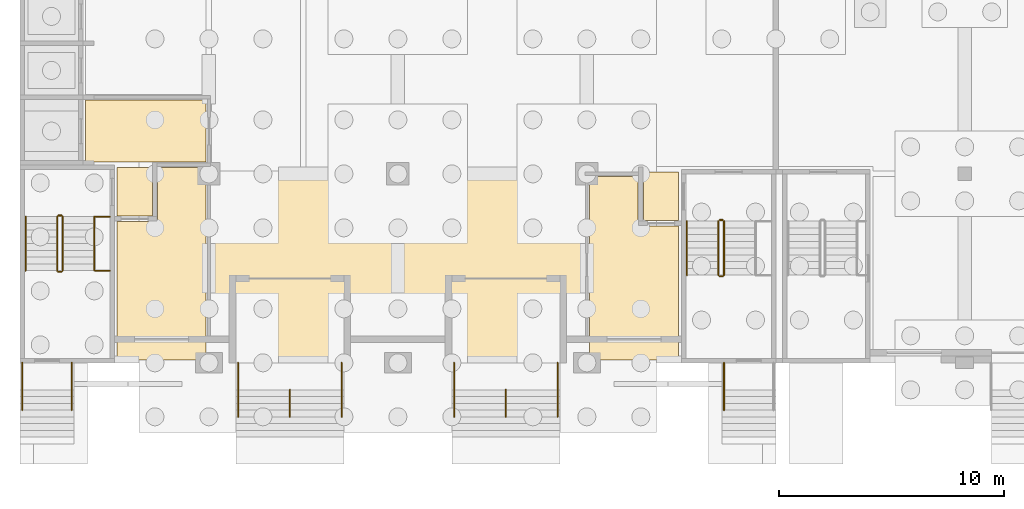
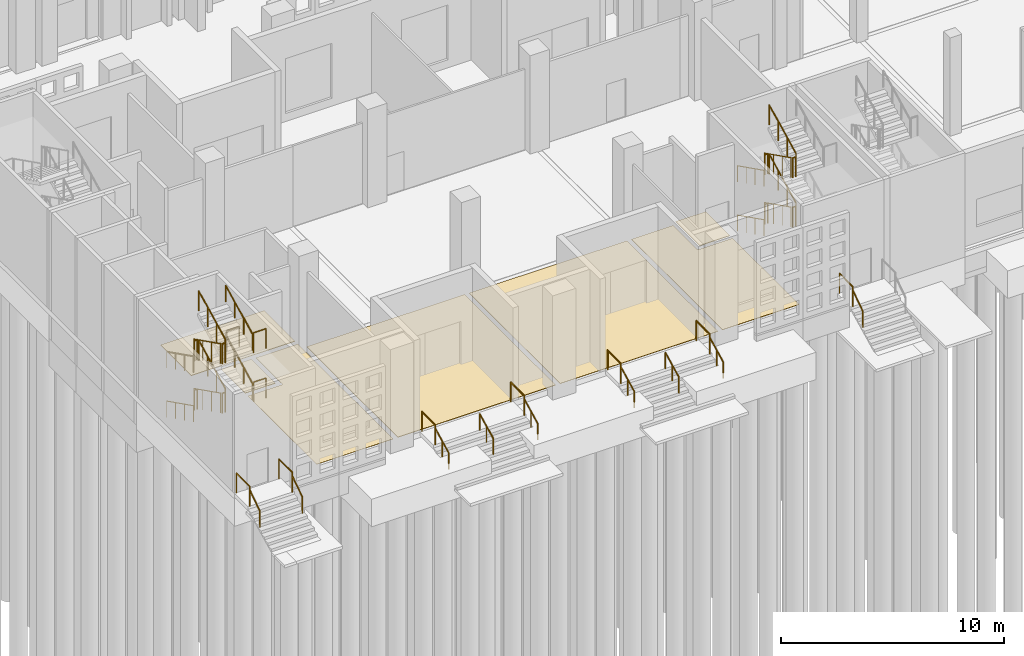
# One storey, part 102 of 129: 41 railings, 7 coverings.
"""IFC4 building model written with IfcOpenShell, lengths in metres."""

import ifcopenshell
import ifcopenshell.guid

model = None  # the IFC model being written
_history = None  # IfcOwnerHistory: only IFC2X3 demands one
_inside = {}  # id of a spatial element -> (the spatial element, [elements in it])
_under = {}  # id of a project, library or spatial element -> (it, [spatial elements below it])
_declared = {}  # id of a project -> (the project, [libraries it declares])
_typed = {}  # id of a type object -> (the type object, [elements of that type])
_made_of = {}  # id of a material, layer set ... -> (it, [elements and type objects made of it])


def new_model(schema):
    """Start an empty IFC model of exactly this schema.

    Asked for "IFC4X3", IfcOpenShell would pick the latest addendum, in which some entities
    have other attributes; the version numbers below select the first issue.
    IFC2X3 requires an IfcOwnerHistory on every rooted entity: one is made here for all.
    """
    global model, _history
    if schema == "IFC4X3":
        model = ifcopenshell.file(schema_version=(4, 3, 0, 0))
    else:
        model = ifcopenshell.file(schema=schema)
    _inside.clear()
    _under.clear()
    _declared.clear()
    _typed.clear()
    _made_of.clear()
    _history = None
    if model.schema == "IFC2X3":
        org = make("IfcOrganization", Name="unknown")
        user = make(
            "IfcPersonAndOrganization",
            ThePerson=make("IfcPerson", FamilyName="unknown"),
            TheOrganization=org,
        )
        app = make(
            "IfcApplication",
            ApplicationDeveloper=org,
            Version="unknown",
            ApplicationFullName="unknown",
            ApplicationIdentifier="unknown",
        )
        _history = make(
            "IfcOwnerHistory",
            OwningUser=user,
            OwningApplication=app,
            ChangeAction="ADDED",
            CreationDate=0,
        )
    return model


def make(cls, **values):
    """One entity of the class cls with the attributes given. An attribute that is None is left unset."""
    return model.create_entity(
        cls, **{name: value for name, value in values.items() if value is not None}
    )


def rooted(cls, **values):
    """An entity with a GlobalId (a new one), such as an element, a storey or a relation."""
    return make(cls, GlobalId=ifcopenshell.guid.new(), OwnerHistory=_history, **values)


def si_unit(unit_type, name, prefix=None):
    """IfcSIUnit, for example si_unit("LENGTHUNIT", "METRE", prefix="MILLI")."""
    return make("IfcSIUnit", UnitType=unit_type, Prefix=prefix, Name=name)


def assignment(units):
    """IfcUnitAssignment: the units of a project."""
    return None if units is None else make("IfcUnitAssignment", Units=units)


def point(xyz):
    """IfcCartesianPoint."""
    return None if xyz is None else make("IfcCartesianPoint", Coordinates=xyz)


def direction(xyz):
    """IfcDirection."""
    return None if xyz is None else make("IfcDirection", DirectionRatios=xyz)


def frame(location, z_axis=None, x_axis=None):
    """IfcAxis2Placement3D, a coordinate frame: its origin and axes. An axis left out is left unset."""
    return make(
        "IfcAxis2Placement3D",
        Location=point(location),
        Axis=direction(z_axis),
        RefDirection=direction(x_axis),
    )


def frame_2d(location, x_axis=None):
    """IfcAxis2Placement2D, a coordinate frame in the plane: its origin and x axis."""
    return make(
        "IfcAxis2Placement2D", Location=point(location), RefDirection=direction(x_axis)
    )


def origin():
    """The frame at (0, 0, 0) with its axes left unset."""
    return frame((0.0, 0.0, 0.0))


def origin_2d():
    """The frame at (0, 0) in the plane with its x axis left unset."""
    return frame_2d((0.0, 0.0))


def place(relative_to, where):
    """IfcLocalPlacement: puts the frame where relative to a parent placement (None: the world)."""
    return make(
        "IfcLocalPlacement", PlacementRelTo=relative_to, RelativePlacement=where
    )


def context(
    kind, dimensions, precision=None, world=None, true_north=None, identifier=None
):
    """IfcGeometricRepresentationContext, for example the 3D "Model" context."""
    return make(
        "IfcGeometricRepresentationContext",
        ContextIdentifier=identifier,
        ContextType=kind,
        CoordinateSpaceDimension=dimensions,
        Precision=precision,
        WorldCoordinateSystem=world,
        TrueNorth=true_north,
    )


def subcontext(parent, identifier, kind, view, scale=None):
    """IfcGeometricRepresentationSubContext, for example "Body" below "Model"."""
    return make(
        "IfcGeometricRepresentationSubContext",
        ContextIdentifier=identifier,
        ContextType=kind,
        ParentContext=parent,
        TargetScale=scale,
        TargetView=view,
    )


def project(units=None, contexts=None):
    """IfcProject with its units and contexts."""
    return rooted(
        "IfcProject",
        Name="project",
        RepresentationContexts=contexts,
        UnitsInContext=assignment(units),
    )


def spatial(cls, under=None, at=None, **own):
    """A site, building, storey or space (cls), placed at a placement, below another one or the project."""
    s = rooted(cls, ObjectPlacement=at, **own)
    if under is not None:
        _under.setdefault(under.id(), (under, []))[1].append(s)
    return s


def polyline(points):
    """IfcPolyline through the points."""
    return make("IfcPolyline", Points=[point(p) for p in points])


def profile(cls, at=None, kind="AREA", **sizes):
    """A parametric profile (cls). Its sizes go by their IFC names, for example OverallWidth=200.0."""
    return make(cls, ProfileType=kind, Position=at, **sizes)


def circle(**sizes):
    """IfcCircleProfileDef."""
    return profile("IfcCircleProfileDef", **sizes)


def outline(outer, holes=None, kind="AREA"):
    """IfcArbitraryClosedProfileDef: a profile drawn as a closed curve; with holes, ...WithVoids."""
    if holes is None:
        return make("IfcArbitraryClosedProfileDef", ProfileType=kind, OuterCurve=outer)
    return make(
        "IfcArbitraryProfileDefWithVoids",
        ProfileType=kind,
        OuterCurve=outer,
        InnerCurves=holes,
    )


def extrude(swept, where, along, depth):
    """IfcExtrudedAreaSolid: the profile swept, set in the frame where, extruded along a direction by depth."""
    return make(
        "IfcExtrudedAreaSolid",
        SweptArea=swept,
        Position=where,
        ExtrudedDirection=direction(along),
        Depth=depth,
    )


def shape(context_of_items, identifier, shape_type, items):
    """IfcShapeRepresentation: the items that make up one representation, for example the "Body"."""
    return make(
        "IfcShapeRepresentation",
        ContextOfItems=context_of_items,
        RepresentationIdentifier=identifier,
        RepresentationType=shape_type,
        Items=items,
    )


def material(Name=None, Category=None):
    """IfcMaterial."""
    return make("IfcMaterial", Name=Name, Category=Category)


def layer(
    of_material, thickness, ventilated=None, Name=None, Category=None, Priority=None
):
    """IfcMaterialLayer: one layer of a wall or slab, of a material (None: an air gap)."""
    return make(
        "IfcMaterialLayer",
        Material=of_material,
        LayerThickness=thickness,
        IsVentilated=ventilated,
        Name=Name,
        Category=Category,
        Priority=Priority,
    )


def layer_set(layers, Name=None):
    """IfcMaterialLayerSet."""
    return make("IfcMaterialLayerSet", MaterialLayers=layers, LayerSetName=Name)


def made_of(thing, what):
    """Note that an element or type object is made of a material, layer set ...; save() writes the relation."""
    if what is not None:
        _made_of.setdefault(what.id(), (what, []))[1].append(thing)
    return thing


def type_object(cls, material=None, **own):
    """A type object (cls), such as IfcWallType, which elements share."""
    return made_of(rooted(cls, **own), material)


def element(
    cls,
    number,
    at=None,
    inside=None,
    cuts=None,
    type_object=None,
    material=None,
    context=None,
    identifier="Body",
    shape_type=None,
    held_by="IfcProductDefinitionShape",
    body=None,
    shapes=None,
    **own,
):
    """One element of the class cls, such as IfcWall. Its Tag is "e" and its number.

    at: its placement. inside: the storey or other place that contains it. cuts: it is an
    opening in that element (IfcRelVoidsElement). A single representation is given by context,
    identifier, shape_type and body (its items); several are given by shapes. held_by: the class
    of the entity that holds the representations. save() writes the other relations.
    """
    e = rooted(cls, Tag="e%d" % number, ObjectPlacement=at, **own)
    if body is not None:
        shapes = [shape(context, identifier, shape_type, body)]
    if shapes is not None:
        e.Representation = make(held_by, Representations=shapes)
    if inside is not None:
        _inside.setdefault(inside.id(), (inside, []))[1].append(e)
    if cuts is not None:
        rooted(
            "IfcRelVoidsElement", RelatingBuildingElement=cuts, RelatedOpeningElement=e
        )
    if type_object is not None:
        _typed.setdefault(type_object.id(), (type_object, []))[1].append(e)
    return made_of(e, material)


def aggregate(whole, parts):
    """IfcRelAggregates: a whole, such as a stair, and the parts it consists of."""
    return rooted("IfcRelAggregates", RelatingObject=whole, RelatedObjects=parts)


def save(model, path):
    """Write the relations noted so far, then the file.

    IfcRelAggregates (storeys below a building ...), IfcRelContainedInSpatialStructure (elements
    in a storey), IfcRelDefinesByType, IfcRelAssociatesMaterial and IfcRelDeclares: one each for
    every whole, place, type object, material and project.
    """
    for whole, parts in _under.values():
        aggregate(whole, parts)
    for where, things in _inside.values():
        rooted(
            "IfcRelContainedInSpatialStructure",
            RelatedElements=things,
            RelatingStructure=where,
        )
    for kind, things in _typed.values():
        rooted("IfcRelDefinesByType", RelatedObjects=things, RelatingType=kind)
    for what, things in _made_of.values():
        rooted("IfcRelAssociatesMaterial", RelatedObjects=things, RelatingMaterial=what)
    for by, libraries in _declared.values():
        rooted("IfcRelDeclares", RelatingContext=by, RelatedDefinitions=libraries)
    model.write(path)


model = new_model("IFC4")

# Units and contexts
model_context = context("Model", 3, precision=1e-05, world=origin(), true_north=direction((0.0, 1.0)))
body_context = subcontext(model_context, "Body", "Model", "MODEL_VIEW")
ifc_project = project(units=[si_unit("LENGTHUNIT", "METRE"), si_unit("AREAUNIT", "SQUARE_METRE"), si_unit("VOLUMEUNIT", "CUBIC_METRE"), si_unit("PLANEANGLEUNIT", "RADIAN"), si_unit("MASSUNIT", "GRAM", prefix="KILO")], contexts=[model_context])

# Site, building, storey
site_placement = place(None, origin())
site = spatial("IfcSite", under=ifc_project, at=site_placement, CompositionType="ELEMENT")
building_placement = place(site_placement, origin())
building = spatial("IfcBuilding", under=site, at=building_placement, Name="Kiln Court Media Centre", CompositionType="ELEMENT")
storey_placement = place(building_placement, origin())
storey = spatial("IfcBuildingStorey", under=building, at=storey_placement, Name="L00", CompositionType="ELEMENT", Elevation=0.0)

# Coverings
ifc_material_1 = material(Name="Ceramic tile")
ifc_layer_1 = layer(ifc_material_1, 0.011962890625)
ifc_layer_set_1 = layer_set([ifc_layer_1], Name="Ceramic tile floor finish 12")
covering_type_1 = type_object("IfcCoveringType", Name="Ceramic tile floor finish 12", PredefinedType="FLOORING", material=ifc_layer_set_1)
covering_1_placement = place(storey_placement, origin())
element("IfcCovering", 1, at=covering_1_placement, inside=storey, type_object=covering_type_1, Name="Toilets and Accessible WC floor finish", PredefinedType="FLOORING", context=body_context, shape_type="SweptSolid", body=[
    extrude(outline(polyline([(8.280029296875, 8.679931640625), (6.1201171875, 8.679931640625), (6.1201171875, 6.280029296875), (4.320068359375, 6.280029296875), (4.320068359375, 0.1201171875), (8.280029296875, 0.1201171875), (8.280029296875, 8.679931640625)])), origin(), (0.0, 0.0, 1.0), 0.011962890625),
])
ifc_material_2 = material(Name="Engineered timber", Category="wood")
ifc_layer_2 = layer(ifc_material_2, 0.02001953125)
ifc_layer_set_2 = layer_set([ifc_layer_2], Name="Engineered timber floor finish 20")
covering_type_2 = type_object("IfcCoveringType", Name="Engineered timber floor finish 20", PredefinedType="FLOORING", material=ifc_layer_set_2)
covering_2_placement = place(storey_placement, origin())
element("IfcCovering", 2, at=covering_2_placement, inside=storey, type_object=covering_type_2, Name="Foyer Cafe floor finish", PredefinedType="FLOORING", context=body_context, shape_type="SweptSolid", body=[
    extrude(outline(polyline([(16.919921875, 0.1201171875), (25.080078125, 0.1201171875), (25.080078125, 8.280029296875), (16.919921875, 8.280029296875), (16.919921875, 0.1201171875)])), origin(), (0.0, 0.0, 1.0), 0.02001953125),
])
covering_3_placement = place(storey_placement, origin())
element("IfcCovering", 3, at=covering_3_placement, inside=storey, type_object=covering_type_2, Name="Bookshop floor finish", PredefinedType="FLOORING", context=body_context, shape_type="SweptSolid", body=[
    extrude(outline(polyline([(29.280029296875, 0.1201171875), (29.280029296875, 6.080078125), (27.47998046875, 6.080078125), (27.47998046875, 8.280029296875), (25.320068359375, 8.280029296875), (25.320068359375, 0.1201171875), (29.280029296875, 0.1201171875)])), origin(), (0.0, 0.0, 1.0), 0.02001953125),
])
ifc_material_3 = material(Name="Terrazzo")
ifc_layer_3 = layer(ifc_material_3, 0.02490234375)
ifc_layer_set_3 = layer_set([ifc_layer_3], Name="Polished terrazzo floor finish 25")
covering_type_3 = type_object("IfcCoveringType", Name="Polished terrazzo floor finish 25", PredefinedType="FLOORING", material=ifc_layer_set_3)
covering_4_placement = place(storey_placement, origin())
element("IfcCovering", 4, at=covering_4_placement, inside=storey, type_object=covering_type_3, Name="Library Entrance Hall floor finish", PredefinedType="FLOORING", context=body_context, shape_type="SweptSolid", body=[
    extrude(outline(polyline([(8.52001953125, 0.1201171875), (16.679931640625, 0.1201171875), (16.679931640625, 8.280029296875), (8.52001953125, 8.280029296875), (8.52001953125, 0.1201171875)])), origin(), (0.0, 0.0, 1.0), 0.02490234375),
])
covering_5_placement = place(storey_placement, origin())
element("IfcCovering", 5, at=covering_5_placement, inside=storey, type_object=covering_type_3, Name="Stair 3 Vestibule floor finish", PredefinedType="FLOORING", context=body_context, shape_type="SweptSolid", body=[
    extrude(outline(polyline([(27.719970703125, 6.320068359375), (29.280029296875, 6.320068359375), (29.280029296875, 8.47998046875), (27.719970703125, 8.47998046875), (27.719970703125, 6.320068359375)])), origin(), (0.0, 0.0, 1.0), 0.02490234375),
])
covering_6_placement = place(storey_placement, origin())
element("IfcCovering", 6, at=covering_6_placement, inside=storey, type_object=covering_type_3, Name="Stair 1 Vestibule floor finish", PredefinedType="FLOORING", context=body_context, shape_type="SweptSolid", body=[
    extrude(outline(polyline([(4.320068359375, 6.52001953125), (5.8798828125, 6.52001953125), (5.8798828125, 8.679931640625), (4.320068359375, 8.679931640625), (4.320068359375, 6.52001953125)])), origin(), (0.0, 0.0, 1.0), 0.02490234375),
])
covering_7_placement = place(storey_placement, origin())
element("IfcCovering", 7, at=covering_7_placement, inside=storey, type_object=covering_type_3, Name="Fire-fighting Lift Lobby floor finish", PredefinedType="FLOORING", context=body_context, shape_type="SweptSolid", body=[
    extrude(outline(polyline([(2.919921875, 8.919921875), (8.280029296875, 8.919921875), (8.280029296875, 11.679931640625), (2.919921875, 11.679931640625), (2.919921875, 8.919921875)])), origin(), (0.0, 0.0, 1.0), 0.02490234375),
])

# Railings
ifc_material_4 = material(Name="Steel S275", Category="steel")
railing_type_1 = type_object("IfcRailingType", Name="Steel S275 stair guard 1100", PredefinedType="GUARDRAIL", material=ifc_material_4)
railing_1_placement = place(storey_placement, frame((1.64990234375, 6.5, 0.14990234375)))
element("IfcRailing", 8, at=railing_1_placement, inside=storey, type_object=railing_type_1, Name="ST-01 stair guard", PredefinedType="GUARDRAIL", context=body_context, shape_type="SweptSolid", body=[
    extrude(circle(Radius=0.02392578125, at=origin_2d()), frame((0.0, 0.0, 1.076171875), z_axis=(0.0, -0.894390793703, 0.44728638269), x_axis=(1.0, 0.0, 0.0)), (0.0, 0.0, 1.0), 2.683349609375),
    extrude(circle(Radius=0.02099609375, at=origin_2d()), origin(), (0.0, 0.0, 1.0), 1.052001953125),
    extrude(circle(Radius=0.02099609375, at=origin_2d()), frame((0.0, -0.800048828125, 0.400146484375)), (0.0, 0.0, 1.0), 1.052001953125),
    extrude(circle(Radius=0.02099609375, at=origin_2d()), frame((0.0, -1.599853515625, 0.800048828125)), (0.0, 0.0, 1.0), 1.052001953125),
    extrude(circle(Radius=0.02099609375, at=origin_2d()), frame((0.0, -2.39990234375, 1.2001953125)), (0.0, 0.0, 1.0), 1.052001953125),
])
railing_2_placement = place(storey_placement, frame((1.699951171875, 4.050048828125, 1.35009765625)))
element("IfcRailing", 9, at=railing_2_placement, inside=storey, type_object=railing_type_1, Name="ST-01 stair guard", PredefinedType="GUARDRAIL", context=body_context, shape_type="SweptSolid", body=[
    extrude(circle(Radius=0.02392578125, at=origin_2d()), frame((0.0, 0.0, 1.076171875), z_axis=(1.0, 0.0, 0.0), x_axis=(0.0, 1.0, 0.0)), (0.0, 0.0, 1.0), 0.150146484375),
    extrude(circle(Radius=0.02099609375, at=origin_2d()), origin(), (0.0, 0.0, 1.0), 1.052001953125),
    extrude(circle(Radius=0.02099609375, at=origin_2d()), frame((0.150146484375, 0.0, 0.0)), (0.0, 0.0, 1.0), 1.052001953125),
])
railing_3_placement = place(storey_placement, frame((1.89990234375, 4.10009765625, 1.5)))
element("IfcRailing", 10, at=railing_3_placement, inside=storey, type_object=railing_type_1, Name="ST-01 stair guard", PredefinedType="GUARDRAIL", context=body_context, shape_type="SweptSolid", body=[
    extrude(circle(Radius=0.02392578125, at=origin_2d()), frame((0.0, 0.0, 1.076171875), z_axis=(0.0, 0.894427191, 0.4472135955), x_axis=(-1.0, 0.0, 0.0)), (0.0, 0.0, 1.0), 2.68310546875),
    extrude(circle(Radius=0.02099609375, at=origin_2d()), origin(), (0.0, 0.0, 1.0), 1.052001953125),
    extrude(circle(Radius=0.02099609375, at=origin_2d()), frame((0.0, 0.800048828125, 0.39990234375)), (0.0, 0.0, 1.0), 1.052001953125),
    extrude(circle(Radius=0.02099609375, at=origin_2d()), frame((0.0, 1.599853515625, 0.800048828125)), (0.0, 0.0, 1.0), 1.052001953125),
    extrude(circle(Radius=0.02099609375, at=origin_2d()), frame((0.0, 2.39990234375, 1.199951171875)), (0.0, 0.0, 1.0), 1.052001953125),
])
railing_4_placement = place(storey_placement, frame((1.699951171875, 6.550048828125, 2.699951171875)))
element("IfcRailing", 11, at=railing_4_placement, inside=storey, type_object=railing_type_1, Name="ST-01 stair guard", PredefinedType="GUARDRAIL", context=body_context, shape_type="SweptSolid", body=[
    extrude(circle(Radius=0.02392578125, at=origin_2d()), frame((0.0, 0.0, 1.076171875), z_axis=(1.0, 0.0, 0.0), x_axis=(0.0, 1.0, 0.0)), (0.0, 0.0, 1.0), 0.150146484375),
    extrude(circle(Radius=0.02099609375, at=origin_2d()), origin(), (0.0, 0.0, 1.0), 1.052001953125),
    extrude(circle(Radius=0.02099609375, at=origin_2d()), frame((0.150146484375, 0.0, 0.0)), (0.0, 0.0, 1.0), 1.052001953125),
])
railing_5_placement = place(storey_placement, frame((1.64990234375, 6.5, 2.85009765625)))
element("IfcRailing", 12, at=railing_5_placement, inside=storey, type_object=railing_type_1, Name="ST-01 stair guard", PredefinedType="GUARDRAIL", context=body_context, shape_type="SweptSolid", body=[
    extrude(circle(Radius=0.02392578125, at=origin_2d()), frame((0.0, 0.0, 1.076171875), z_axis=(0.0, -0.894427191, 0.4472135955), x_axis=(1.0, 0.0, 0.0)), (0.0, 0.0, 1.0), 2.68310546875),
    extrude(circle(Radius=0.02099609375, at=origin_2d()), origin(), (0.0, 0.0, 1.0), 1.052001953125),
    extrude(circle(Radius=0.02099609375, at=origin_2d()), frame((0.0, -0.800048828125, 0.39990234375)), (0.0, 0.0, 1.0), 1.052001953125),
    extrude(circle(Radius=0.02099609375, at=origin_2d()), frame((0.0, -1.599853515625, 0.800048828125)), (0.0, 0.0, 1.0), 1.052001953125),
    extrude(circle(Radius=0.02099609375, at=origin_2d()), frame((0.0, -2.39990234375, 1.199951171875)), (0.0, 0.0, 1.0), 1.052001953125),
])
railing_6_placement = place(storey_placement, frame((1.699951171875, 4.050048828125, 4.050048828125)))
element("IfcRailing", 13, at=railing_6_placement, inside=storey, type_object=railing_type_1, Name="ST-01 stair guard", PredefinedType="GUARDRAIL", context=body_context, shape_type="SweptSolid", body=[
    extrude(circle(Radius=0.02392578125, at=origin_2d()), frame((0.0, 0.0, 1.076171875), z_axis=(1.0, 0.0, 0.0), x_axis=(0.0, 1.0, 0.0)), (0.0, 0.0, 1.0), 0.150146484375),
    extrude(circle(Radius=0.02099609375, at=origin_2d()), origin(), (0.0, 0.0, 1.0), 1.052001953125),
    extrude(circle(Radius=0.02099609375, at=origin_2d()), frame((0.150146484375, 0.0, 0.0)), (0.0, 0.0, 1.0), 1.052001953125),
])
railing_7_placement = place(storey_placement, frame((1.89990234375, 4.10009765625, 4.199951171875)))
element("IfcRailing", 14, at=railing_7_placement, inside=storey, type_object=railing_type_1, Name="ST-01 stair guard", PredefinedType="GUARDRAIL", context=body_context, shape_type="SweptSolid", body=[
    extrude(circle(Radius=0.02392578125, at=origin_2d()), frame((0.0, 0.0, 1.076171875), z_axis=(0.0, 0.894427191, 0.4472135955), x_axis=(-1.0, 0.0, 0.0)), (0.0, 0.0, 1.0), 2.68310546875),
    extrude(circle(Radius=0.02099609375, at=origin_2d()), origin(), (0.0, 0.0, 1.0), 1.052001953125),
    extrude(circle(Radius=0.02099609375, at=origin_2d()), frame((0.0, 0.800048828125, 0.39990234375)), (0.0, 0.0, 1.0), 1.052001953125),
    extrude(circle(Radius=0.02099609375, at=origin_2d()), frame((0.0, 1.599853515625, 0.800048828125)), (0.0, 0.0, 1.0), 1.052001953125),
    extrude(circle(Radius=0.02099609375, at=origin_2d()), frame((0.0, 2.39990234375, 1.199951171875)), (0.0, 0.0, 1.0), 1.052001953125),
])
railing_8_placement = place(storey_placement, frame((1.699951171875, 6.550048828125, 0.0)))
element("IfcRailing", 15, at=railing_8_placement, inside=storey, type_object=railing_type_1, Name="ST-01 stair guard", PredefinedType="GUARDRAIL", context=body_context, shape_type="SweptSolid", body=[
    extrude(circle(Radius=0.02392578125, at=origin_2d()), frame((0.0, 0.0, 1.076171875), z_axis=(1.0, 0.0, 0.0), x_axis=(0.0, 1.0, 0.0)), (0.0, 0.0, 1.0), 0.150146484375),
    extrude(circle(Radius=0.02099609375, at=origin_2d()), origin(), (0.0, 0.0, 1.0), 1.052001953125),
    extrude(circle(Radius=0.02099609375, at=origin_2d()), frame((0.150146484375, 0.0, 0.0)), (0.0, 0.0, 1.0), 1.052001953125),
])
for number, where, name in (
    (16, (3.35009765625, 4.10009765625, 1.35009765625), "ST-01 landing edge guard"),
    (17, (3.35009765625, 6.5, 2.699951171875), "ST-01 landing edge guard"),
    (18, (3.35009765625, 4.10009765625, 4.050048828125), "ST-01 landing edge guard"),
):
    element("IfcRailing", number, at=place(storey_placement, frame(where)), inside=storey, type_object=railing_type_1, Name=name, PredefinedType="GUARDRAIL", context=body_context, shape_type="SweptSolid", body=[
        extrude(circle(Radius=0.02392578125, at=origin_2d()), frame((0.0, 0.0, 1.076171875), z_axis=(1.0, 0.0, 0.0), x_axis=(0.0, 1.0, 0.0)), (0.0, 0.0, 1.0), 0.64990234375),
        extrude(circle(Radius=0.02099609375, at=origin_2d()), origin(), (0.0, 0.0, 1.0), 1.052001953125),
        extrude(circle(Radius=0.02099609375, at=origin_2d()), frame((0.64990234375, 0.0, 0.0)), (0.0, 0.0, 1.0), 1.052001953125),
    ])
railing_9_placement = place(storey_placement, frame((31.050048828125, 6.300048828125, 0.14990234375)))
element("IfcRailing", 19, at=railing_9_placement, inside=storey, type_object=railing_type_1, Name="ST-03 stair guard", PredefinedType="GUARDRAIL", context=body_context, shape_type="SweptSolid", body=[
    extrude(circle(Radius=0.02392578125, at=origin_2d()), frame((0.0, 0.0, 1.076171875), z_axis=(0.0, -0.894408994573, 0.447249986504), x_axis=(1.0, 0.0, 0.0)), (0.0, 0.0, 1.0), 2.68359375),
    extrude(circle(Radius=0.02099609375, at=origin_2d()), origin(), (0.0, 0.0, 1.0), 1.052001953125),
    extrude(circle(Radius=0.02099609375, at=origin_2d()), frame((0.0, -0.800048828125, 0.400146484375)), (0.0, 0.0, 1.0), 1.052001953125),
    extrude(circle(Radius=0.02099609375, at=origin_2d()), frame((0.0, -1.60009765625, 0.800048828125)), (0.0, 0.0, 1.0), 1.052001953125),
    extrude(circle(Radius=0.02099609375, at=origin_2d()), frame((0.0, -2.400146484375, 1.2001953125)), (0.0, 0.0, 1.0), 1.052001953125),
])
railing_10_placement = place(storey_placement, frame((31.10009765625, 3.85009765625, 1.35009765625)))
element("IfcRailing", 20, at=railing_10_placement, inside=storey, type_object=railing_type_1, Name="ST-03 stair guard", PredefinedType="GUARDRAIL", context=body_context, shape_type="SweptSolid", body=[
    extrude(circle(Radius=0.02392578125, at=origin_2d()), frame((0.0, 0.0, 1.076171875), z_axis=(1.0, 0.0, 0.0), x_axis=(0.0, 1.0, 0.0)), (0.0, 0.0, 1.0), 0.14990234375),
    extrude(circle(Radius=0.02099609375, at=origin_2d()), origin(), (0.0, 0.0, 1.0), 1.052001953125),
    extrude(circle(Radius=0.02099609375, at=origin_2d()), frame((0.14990234375, 0.0, 0.0)), (0.0, 0.0, 1.0), 1.052001953125),
])
railing_11_placement = place(storey_placement, frame((31.300048828125, 3.89990234375, 1.5)))
element("IfcRailing", 21, at=railing_11_placement, inside=storey, type_object=railing_type_1, Name="ST-03 stair guard", PredefinedType="GUARDRAIL", context=body_context, shape_type="SweptSolid", body=[
    extrude(circle(Radius=0.02392578125, at=origin_2d()), frame((0.0, 0.0, 1.076171875), z_axis=(0.0, 0.894445386687, 0.447177202275), x_axis=(-1.0, 0.0, 0.0)), (0.0, 0.0, 1.0), 2.683349609375),
    extrude(circle(Radius=0.02099609375, at=origin_2d()), origin(), (0.0, 0.0, 1.0), 1.052001953125),
    extrude(circle(Radius=0.02099609375, at=origin_2d()), frame((0.0, 0.800048828125, 0.39990234375)), (0.0, 0.0, 1.0), 1.052001953125),
    extrude(circle(Radius=0.02099609375, at=origin_2d()), frame((0.0, 1.60009765625, 0.800048828125)), (0.0, 0.0, 1.0), 1.052001953125),
    extrude(circle(Radius=0.02099609375, at=origin_2d()), frame((0.0, 2.400146484375, 1.199951171875)), (0.0, 0.0, 1.0), 1.052001953125),
])
railing_12_placement = place(storey_placement, frame((31.10009765625, 6.35009765625, 2.699951171875)))
element("IfcRailing", 22, at=railing_12_placement, inside=storey, type_object=railing_type_1, Name="ST-03 stair guard", PredefinedType="GUARDRAIL", context=body_context, shape_type="SweptSolid", body=[
    extrude(circle(Radius=0.02392578125, at=origin_2d()), frame((0.0, 0.0, 1.076171875), z_axis=(1.0, 0.0, 0.0), x_axis=(0.0, 1.0, 0.0)), (0.0, 0.0, 1.0), 0.14990234375),
    extrude(circle(Radius=0.02099609375, at=origin_2d()), origin(), (0.0, 0.0, 1.0), 1.052001953125),
    extrude(circle(Radius=0.02099609375, at=origin_2d()), frame((0.14990234375, 0.0, 0.0)), (0.0, 0.0, 1.0), 1.052001953125),
])
railing_13_placement = place(storey_placement, frame((31.050048828125, 6.300048828125, 2.85009765625)))
element("IfcRailing", 23, at=railing_13_placement, inside=storey, type_object=railing_type_1, Name="ST-03 stair guard", PredefinedType="GUARDRAIL", context=body_context, shape_type="SweptSolid", body=[
    extrude(circle(Radius=0.02392578125, at=origin_2d()), frame((0.0, 0.0, 1.076171875), z_axis=(0.0, -0.894445386687, 0.447177202275), x_axis=(1.0, 0.0, 0.0)), (0.0, 0.0, 1.0), 2.683349609375),
    extrude(circle(Radius=0.02099609375, at=origin_2d()), origin(), (0.0, 0.0, 1.0), 1.052001953125),
    extrude(circle(Radius=0.02099609375, at=origin_2d()), frame((0.0, -0.800048828125, 0.39990234375)), (0.0, 0.0, 1.0), 1.052001953125),
    extrude(circle(Radius=0.02099609375, at=origin_2d()), frame((0.0, -1.60009765625, 0.800048828125)), (0.0, 0.0, 1.0), 1.052001953125),
    extrude(circle(Radius=0.02099609375, at=origin_2d()), frame((0.0, -2.400146484375, 1.199951171875)), (0.0, 0.0, 1.0), 1.052001953125),
])
railing_14_placement = place(storey_placement, frame((31.10009765625, 3.85009765625, 4.050048828125)))
element("IfcRailing", 24, at=railing_14_placement, inside=storey, type_object=railing_type_1, Name="ST-03 stair guard", PredefinedType="GUARDRAIL", context=body_context, shape_type="SweptSolid", body=[
    extrude(circle(Radius=0.02392578125, at=origin_2d()), frame((0.0, 0.0, 1.076171875), z_axis=(1.0, 0.0, 0.0), x_axis=(0.0, 1.0, 0.0)), (0.0, 0.0, 1.0), 0.14990234375),
    extrude(circle(Radius=0.02099609375, at=origin_2d()), origin(), (0.0, 0.0, 1.0), 1.052001953125),
    extrude(circle(Radius=0.02099609375, at=origin_2d()), frame((0.14990234375, 0.0, 0.0)), (0.0, 0.0, 1.0), 1.052001953125),
])
railing_15_placement = place(storey_placement, frame((31.300048828125, 3.89990234375, 4.199951171875)))
element("IfcRailing", 25, at=railing_15_placement, inside=storey, type_object=railing_type_1, Name="ST-03 stair guard", PredefinedType="GUARDRAIL", context=body_context, shape_type="SweptSolid", body=[
    extrude(circle(Radius=0.02392578125, at=origin_2d()), frame((0.0, 0.0, 1.076171875), z_axis=(0.0, 0.894445386687, 0.447177202275), x_axis=(-1.0, 0.0, 0.0)), (0.0, 0.0, 1.0), 2.683349609375),
    extrude(circle(Radius=0.02099609375, at=origin_2d()), origin(), (0.0, 0.0, 1.0), 1.052001953125),
    extrude(circle(Radius=0.02099609375, at=origin_2d()), frame((0.0, 0.800048828125, 0.39990234375)), (0.0, 0.0, 1.0), 1.052001953125),
    extrude(circle(Radius=0.02099609375, at=origin_2d()), frame((0.0, 1.60009765625, 0.800048828125)), (0.0, 0.0, 1.0), 1.052001953125),
    extrude(circle(Radius=0.02099609375, at=origin_2d()), frame((0.0, 2.400146484375, 1.199951171875)), (0.0, 0.0, 1.0), 1.052001953125),
])
railing_16_placement = place(storey_placement, frame((31.10009765625, 6.35009765625, 0.0)))
element("IfcRailing", 26, at=railing_16_placement, inside=storey, type_object=railing_type_1, Name="ST-03 stair guard", PredefinedType="GUARDRAIL", context=body_context, shape_type="SweptSolid", body=[
    extrude(circle(Radius=0.02392578125, at=origin_2d()), frame((0.0, 0.0, 1.076171875), z_axis=(1.0, 0.0, 0.0), x_axis=(0.0, 1.0, 0.0)), (0.0, 0.0, 1.0), 0.14990234375),
    extrude(circle(Radius=0.02099609375, at=origin_2d()), origin(), (0.0, 0.0, 1.0), 1.052001953125),
    extrude(circle(Radius=0.02099609375, at=origin_2d()), frame((0.14990234375, 0.0, 0.0)), (0.0, 0.0, 1.0), 1.052001953125),
])
ifc_material_5 = material(Name="Steel S275", Category="steel")
railing_type_2 = type_object("IfcRailingType", Name="Steel S275 stair handrail 900", PredefinedType="HANDRAIL", material=ifc_material_5)
railing_17_placement = place(storey_placement, frame((0.25, 6.5, 0.14990234375)))
element("IfcRailing", 27, at=railing_17_placement, inside=storey, type_object=railing_type_2, Name="ST-01 stair handrail", PredefinedType="HANDRAIL", context=body_context, shape_type="SweptSolid", body=[
    extrude(circle(Radius=0.02392578125, at=origin_2d()), frame((0.0, 0.0, 0.8759765625), z_axis=(0.0, -0.894390793703, 0.44728638269), x_axis=(1.0, 0.0, 0.0)), (0.0, 0.0, 1.0), 2.683349609375),
    extrude(circle(Radius=0.02099609375, at=origin_2d()), origin(), (0.0, 0.0, 1.0), 0.851806640625),
    extrude(circle(Radius=0.02099609375, at=origin_2d()), frame((0.0, -0.800048828125, 0.400146484375)), (0.0, 0.0, 1.0), 0.851806640625),
    extrude(circle(Radius=0.02099609375, at=origin_2d()), frame((0.0, -1.599853515625, 0.800048828125)), (0.0, 0.0, 1.0), 0.851806640625),
    extrude(circle(Radius=0.02099609375, at=origin_2d()), frame((0.0, -2.39990234375, 1.2001953125)), (0.0, 0.0, 1.0), 0.851806640625),
])
railing_18_placement = place(storey_placement, frame((3.300048828125, 4.10009765625, 1.5)))
element("IfcRailing", 28, at=railing_18_placement, inside=storey, type_object=railing_type_2, Name="ST-01 stair handrail", PredefinedType="HANDRAIL", context=body_context, shape_type="SweptSolid", body=[
    extrude(circle(Radius=0.02392578125, at=origin_2d()), frame((0.0, 0.0, 0.8759765625), z_axis=(0.0, 0.894427191, 0.4472135955), x_axis=(-1.0, 0.0, 0.0)), (0.0, 0.0, 1.0), 2.68310546875),
    extrude(circle(Radius=0.02099609375, at=origin_2d()), origin(), (0.0, 0.0, 1.0), 0.851806640625),
    extrude(circle(Radius=0.02099609375, at=origin_2d()), frame((0.0, 0.800048828125, 0.39990234375)), (0.0, 0.0, 1.0), 0.851806640625),
    extrude(circle(Radius=0.02099609375, at=origin_2d()), frame((0.0, 1.599853515625, 0.800048828125)), (0.0, 0.0, 1.0), 0.851806640625),
    extrude(circle(Radius=0.02099609375, at=origin_2d()), frame((0.0, 2.39990234375, 1.199951171875)), (0.0, 0.0, 1.0), 0.851806640625),
])
railing_19_placement = place(storey_placement, frame((0.25, 6.5, 2.85009765625)))
element("IfcRailing", 29, at=railing_19_placement, inside=storey, type_object=railing_type_2, Name="ST-01 stair handrail", PredefinedType="HANDRAIL", context=body_context, shape_type="SweptSolid", body=[
    extrude(circle(Radius=0.02392578125, at=origin_2d()), frame((0.0, 0.0, 0.8759765625), z_axis=(0.0, -0.894427191, 0.4472135955), x_axis=(1.0, 0.0, 0.0)), (0.0, 0.0, 1.0), 2.68310546875),
    extrude(circle(Radius=0.02099609375, at=origin_2d()), origin(), (0.0, 0.0, 1.0), 0.851806640625),
    extrude(circle(Radius=0.02099609375, at=origin_2d()), frame((0.0, -0.800048828125, 0.39990234375)), (0.0, 0.0, 1.0), 0.851806640625),
    extrude(circle(Radius=0.02099609375, at=origin_2d()), frame((0.0, -1.599853515625, 0.800048828125)), (0.0, 0.0, 1.0), 0.851806640625),
    extrude(circle(Radius=0.02099609375, at=origin_2d()), frame((0.0, -2.39990234375, 1.199951171875)), (0.0, 0.0, 1.0), 0.851806640625),
])
railing_20_placement = place(storey_placement, frame((3.300048828125, 4.10009765625, 4.199951171875)))
element("IfcRailing", 30, at=railing_20_placement, inside=storey, type_object=railing_type_2, Name="ST-01 stair handrail", PredefinedType="HANDRAIL", context=body_context, shape_type="SweptSolid", body=[
    extrude(circle(Radius=0.02392578125, at=origin_2d()), frame((0.0, 0.0, 0.8759765625), z_axis=(0.0, 0.894427191, 0.4472135955), x_axis=(-1.0, 0.0, 0.0)), (0.0, 0.0, 1.0), 2.68310546875),
    extrude(circle(Radius=0.02099609375, at=origin_2d()), origin(), (0.0, 0.0, 1.0), 0.851806640625),
    extrude(circle(Radius=0.02099609375, at=origin_2d()), frame((0.0, 0.800048828125, 0.39990234375)), (0.0, 0.0, 1.0), 0.851806640625),
    extrude(circle(Radius=0.02099609375, at=origin_2d()), frame((0.0, 1.599853515625, 0.800048828125)), (0.0, 0.0, 1.0), 0.851806640625),
    extrude(circle(Radius=0.02099609375, at=origin_2d()), frame((0.0, 2.39990234375, 1.199951171875)), (0.0, 0.0, 1.0), 0.851806640625),
])
railing_21_placement = place(storey_placement, frame((29.64990234375, 6.300048828125, 0.14990234375)))
element("IfcRailing", 31, at=railing_21_placement, inside=storey, type_object=railing_type_2, Name="ST-03 stair handrail", PredefinedType="HANDRAIL", context=body_context, shape_type="SweptSolid", body=[
    extrude(circle(Radius=0.02392578125, at=origin_2d()), frame((0.0, 0.0, 0.8759765625), z_axis=(0.0, -0.894408994573, 0.447249986504), x_axis=(1.0, 0.0, 0.0)), (0.0, 0.0, 1.0), 2.68359375),
    extrude(circle(Radius=0.02099609375, at=origin_2d()), origin(), (0.0, 0.0, 1.0), 0.851806640625),
    extrude(circle(Radius=0.02099609375, at=origin_2d()), frame((0.0, -0.800048828125, 0.400146484375)), (0.0, 0.0, 1.0), 0.851806640625),
    extrude(circle(Radius=0.02099609375, at=origin_2d()), frame((0.0, -1.60009765625, 0.800048828125)), (0.0, 0.0, 1.0), 0.851806640625),
    extrude(circle(Radius=0.02099609375, at=origin_2d()), frame((0.0, -2.400146484375, 1.2001953125)), (0.0, 0.0, 1.0), 0.851806640625),
])
railing_22_placement = place(storey_placement, frame((29.64990234375, 6.300048828125, 2.85009765625)))
element("IfcRailing", 32, at=railing_22_placement, inside=storey, type_object=railing_type_2, Name="ST-03 stair handrail", PredefinedType="HANDRAIL", context=body_context, shape_type="SweptSolid", body=[
    extrude(circle(Radius=0.02392578125, at=origin_2d()), frame((0.0, 0.0, 0.8759765625), z_axis=(0.0, -0.894445386687, 0.447177202275), x_axis=(1.0, 0.0, 0.0)), (0.0, 0.0, 1.0), 2.683349609375),
    extrude(circle(Radius=0.02099609375, at=origin_2d()), origin(), (0.0, 0.0, 1.0), 0.851806640625),
    extrude(circle(Radius=0.02099609375, at=origin_2d()), frame((0.0, -0.800048828125, 0.39990234375)), (0.0, 0.0, 1.0), 0.851806640625),
    extrude(circle(Radius=0.02099609375, at=origin_2d()), frame((0.0, -1.60009765625, 0.800048828125)), (0.0, 0.0, 1.0), 0.851806640625),
    extrude(circle(Radius=0.02099609375, at=origin_2d()), frame((0.0, -2.400146484375, 1.199951171875)), (0.0, 0.0, 1.0), 0.851806640625),
])
ifc_material_6 = material(Name="Steel ASTM A572 Gr 50", Category="steel")
railing_type_3 = type_object("IfcRailingType", Name="Steel guard rail 1100", PredefinedType="GUARDRAIL", material=ifc_material_6)
for number, where, name in (
    (33, (0.10009765625, -1.199951171875, 0.0), "ST-01 street porch landing guard"),
    (34, (2.300048828125, -1.199951171875, 0.0), "ST-01 street porch landing guard"),
    (35, (31.300048828125, -1.199951171875, 0.0), "ST-03 street porch landing guard"),
):
    element("IfcRailing", number, at=place(storey_placement, frame(where)), inside=storey, type_object=railing_type_3, Name=name, PredefinedType="GUARDRAIL", context=body_context, shape_type="SweptSolid", body=[
        extrude(circle(Radius=0.02392578125, at=origin_2d()), frame((0.0, 0.0, 1.076171875), z_axis=(0.0, 1.0, 0.0), x_axis=(-1.0, 0.0, 0.0)), (0.0, 0.0, 1.0), 1.199951171875),
        extrude(circle(Radius=0.02099609375, at=origin_2d()), origin(), (0.0, 0.0, 1.0), 1.052001953125),
        extrude(circle(Radius=0.02099609375, at=origin_2d()), frame((0.0, 1.199951171875, 0.0)), (0.0, 0.0, 1.0), 1.052001953125),
    ])
ifc_material_7 = material(Name="Steel ASTM A572 Gr 50", Category="steel")
railing_type_4 = type_object("IfcRailingType", Name="Steel handrail 900", PredefinedType="HANDRAIL", material=ifc_material_7)
for number, where, name in (
    (36, (0.10009765625, -2.10009765625, -0.60009765625), "ST-01 street porch steps handrail"),
    (37, (2.300048828125, -2.10009765625, -0.60009765625), "ST-01 street porch steps handrail"),
    (38, (31.300048828125, -2.10009765625, -0.60009765625), "ST-03 street porch steps handrail"),
):
    element("IfcRailing", number, at=place(storey_placement, frame(where)), inside=storey, type_object=railing_type_4, Name=name, PredefinedType="HANDRAIL", context=body_context, shape_type="SweptSolid", body=[
        extrude(circle(Radius=0.02392578125, at=origin_2d()), frame((0.0, 0.0, 0.8759765625), z_axis=(0.0, 0.832050294338, 0.554700196225), x_axis=(-1.0, 0.0, 0.0)), (0.0, 0.0, 1.0), 1.081787109375),
        extrude(circle(Radius=0.02099609375, at=origin_2d()), origin(), (0.0, 0.0, 1.0), 0.851806640625),
        extrude(circle(Radius=0.02099609375, at=origin_2d()), frame((0.0, 0.900146484375, 0.60009765625)), (0.0, 0.0, 1.0), 0.851806640625),
    ])
ifc_material_8 = material(Name="Steel ASTM A572 Gr 50", Category="steel")
railing_type_5 = type_object("IfcRailingType", Name="Steel porch guard 1100", PredefinedType="GUARDRAIL", material=ifc_material_8)
for number, where, name in (
    (39, (9.699951171875, -1.199951171875, 0.0), "EN-01 street porch landing guard"),
    (40, (14.300048828125, -1.199951171875, 0.0), "EN-01 street porch landing guard"),
    (41, (19.300048828125, -1.199951171875, 0.0), "EN-02 street porch landing guard"),
    (42, (23.89990234375, -1.199951171875, 0.0), "EN-02 street porch landing guard"),
):
    element("IfcRailing", number, at=place(storey_placement, frame(where)), inside=storey, type_object=railing_type_5, Name=name, PredefinedType="GUARDRAIL", context=body_context, shape_type="SweptSolid", body=[
        extrude(circle(Radius=0.02392578125, at=origin_2d()), frame((0.0, 0.0, 1.076171875), z_axis=(0.0, 1.0, 0.0), x_axis=(-1.0, 0.0, 0.0)), (0.0, 0.0, 1.0), 1.199951171875),
        extrude(circle(Radius=0.02099609375, at=origin_2d()), origin(), (0.0, 0.0, 1.0), 1.052001953125),
        extrude(circle(Radius=0.02099609375, at=origin_2d()), frame((0.0, 1.199951171875, 0.0)), (0.0, 0.0, 1.0), 1.052001953125),
    ])
ifc_material_9 = material(Name="Steel ASTM A572 Gr 50", Category="steel")
railing_type_6 = type_object("IfcRailingType", Name="Steel porch handrail 900", PredefinedType="HANDRAIL", material=ifc_material_9)
for number, where, name in (
    (43, (9.699951171875, -2.39990234375, -0.60009765625), "EN-01 street porch steps handrail"),
    (44, (12.0, -2.39990234375, -0.60009765625), "EN-01 street porch steps handrail"),
    (45, (14.300048828125, -2.39990234375, -0.60009765625), "EN-01 street porch steps handrail"),
    (46, (19.300048828125, -2.39990234375, -0.60009765625), "EN-02 street porch steps handrail"),
    (47, (21.60009765625, -2.39990234375, -0.60009765625), "EN-02 street porch steps handrail"),
    (48, (23.89990234375, -2.39990234375, -0.60009765625), "EN-02 street porch steps handrail"),
):
    element("IfcRailing", number, at=place(storey_placement, frame(where)), inside=storey, type_object=railing_type_6, Name=name, PredefinedType="HANDRAIL", context=body_context, shape_type="SweptSolid", body=[
        extrude(circle(Radius=0.02392578125, at=origin_2d()), frame((0.0, 0.0, 0.8759765625), z_axis=(0.0, 0.894390793703, 0.44728638269), x_axis=(-1.0, 0.0, 0.0)), (0.0, 0.0, 1.0), 1.341552734375),
        extrude(circle(Radius=0.02099609375, at=origin_2d()), origin(), (0.0, 0.0, 1.0), 0.851806640625),
        extrude(circle(Radius=0.02099609375, at=origin_2d()), frame((0.0, 0.60009765625, 0.300048828125)), (0.0, 0.0, 1.0), 0.851806640625),
        extrude(circle(Radius=0.02099609375, at=origin_2d()), frame((0.0, 1.199951171875, 0.60009765625)), (0.0, 0.0, 1.0), 0.851806640625),
    ])

save(model, "model.ifc")
